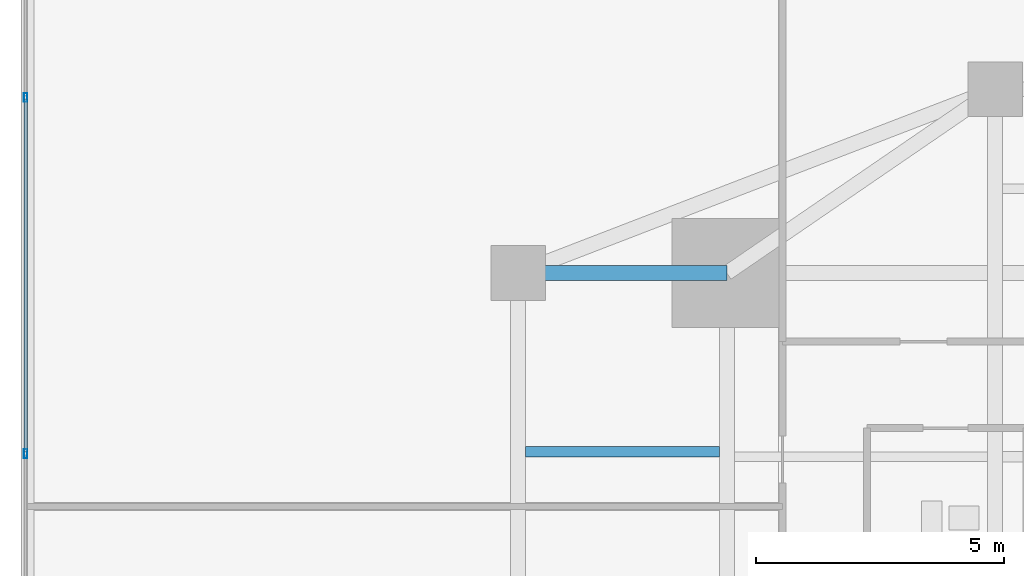
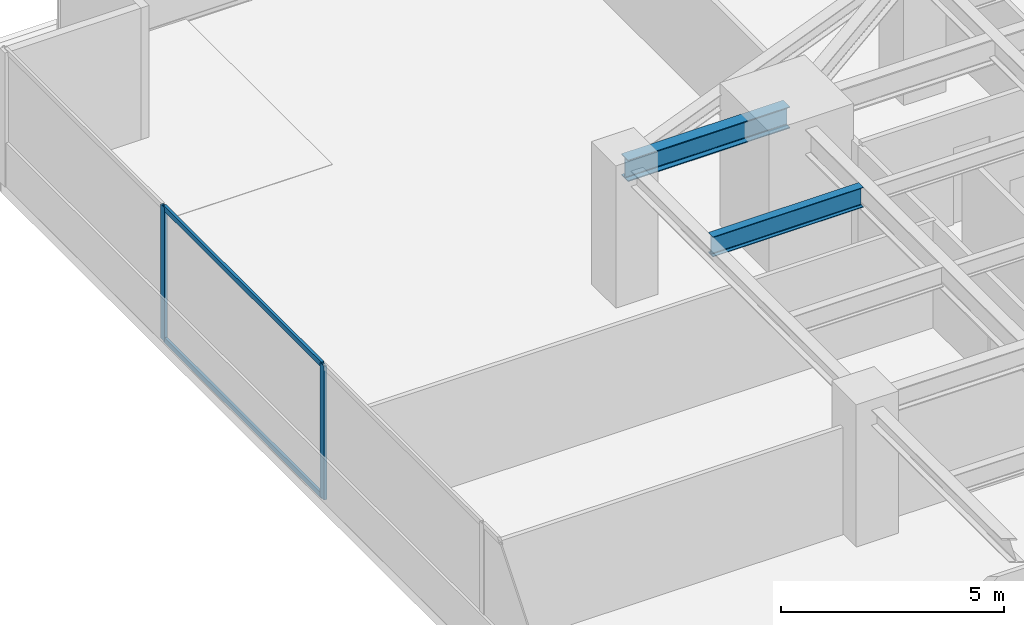
# One storey, part 15 of 30: 4 members, 2 beams, 1 element without a shape of its own.
"""IFC4 building model written with IfcOpenShell, lengths in metres."""

from ifc_helpers import new_model, si_unit, direction, frame, origin, origin_2d, place, context, subcontext, project, spatial, hollow_rectangle, i_section, extrude, source, transform, mapped, material, material_profile, profile_set, type_object, type_shapes, element, aggregate, save


model = new_model("IFC4")

# Units and contexts
model_context = context("Model", 3, precision=1e-05, world=origin(), true_north=direction((0.0, 1.0)))
body_context = subcontext(model_context, "Body", "Model", "MODEL_VIEW")
ifc_project = project(units=[si_unit("LENGTHUNIT", "METRE"), si_unit("AREAUNIT", "SQUARE_METRE"), si_unit("VOLUMEUNIT", "CUBIC_METRE"), si_unit("PLANEANGLEUNIT", "RADIAN"), si_unit("MASSUNIT", "GRAM", prefix="KILO")], contexts=[model_context])

# Site, building, storey
site_placement = place(None, origin())
site = spatial("IfcSite", under=ifc_project, at=site_placement, CompositionType="ELEMENT")
building_placement = place(site_placement, origin())
building = spatial("IfcBuilding", under=site, at=building_placement, Name="Krantzveldt Concourse Tower", CompositionType="ELEMENT")
storey_placement = place(building_placement, frame((0.0, 0.0, 25.0)))
storey = spatial("IfcBuildingStorey", under=building, at=storey_placement, Name="L05", CompositionType="ELEMENT", Elevation=25.0)

# Beams
ifc_material_1 = material(Name="Steel S355JR", Category="steel")
ifc_material_profile_1 = material_profile(ifc_material_1, i_section(OverallWidth=0.300048828125, OverallDepth=0.590087890625, WebThickness=0.012939453125, FlangeThickness=0.02490234375, FilletRadius=0.027099609375, at=origin_2d()), Name="Steel S355JR", Category="steel")
ifc_profile_set_1 = profile_set([ifc_material_profile_1], Name="Steel S355JR - HEA 600")
beam_type_1 = type_object("IfcBeamType", Name="BM-B-HEA600", PredefinedType="BEAM", material=ifc_profile_set_1)
shared_shape_1 = source(origin(), body_context, "Body", "SweptSolid", [
    extrude(i_section(OverallWidth=0.300048828125, OverallDepth=0.590087890625, WebThickness=0.012939453125, FlangeThickness=0.02490234375, FilletRadius=0.027099609375, at=origin_2d()), origin(), (0.0, 0.0, 1.0), 4.199951171875),
])
type_shapes(beam_type_1, [shared_shape_1])
beam_1_placement = place(storey_placement, frame((21.0, 37.5, 3.375), z_axis=(1.0, 0.0, 0.0), x_axis=(0.0, 1.0, 0.0)))
element("IfcBeam", 1, at=beam_1_placement, inside=storey, type_object=beam_type_1, Name="L05 Tower Girder BR-RL3", PredefinedType="BEAM", context=body_context, shape_type="MappedRepresentation", body=[
    mapped(shared_shape_1, transform((0.0, 0.0, 0.0), x_axis=(1.0, 0.0, 0.0), y_axis=(0.0, 1.0, 0.0), z_axis=(0.0, 0.0, 1.0), scale=1.0)),
])
ifc_material_profile_2 = material_profile(ifc_material_1, i_section(OverallWidth=0.2099609375, OverallDepth=0.550048828125, WebThickness=0.010986328125, FlangeThickness=0.01708984375, FilletRadius=0.02392578125, at=origin_2d()), Name="Steel S355JR", Category="steel")
ifc_profile_set_2 = profile_set([ifc_material_profile_2], Name="Steel S355JR - IPE 550")
beam_type_2 = type_object("IfcBeamType", Name="BM-J-IPE550", PredefinedType="JOIST", material=ifc_profile_set_2)
shared_shape_2 = source(origin(), body_context, "Body", "SweptSolid", [
    extrude(i_section(OverallWidth=0.2099609375, OverallDepth=0.550048828125, WebThickness=0.010986328125, FlangeThickness=0.01708984375, FilletRadius=0.02392578125, at=origin_2d()), origin(), (0.0, 0.0, 1.0), 3.900146484375),
])
type_shapes(beam_type_2, [shared_shape_2])
beam_2_placement = place(storey_placement, frame((21.14990234375, 33.89990234375, 3.39501953125), z_axis=(1.0, 0.0, 0.0), x_axis=(0.0, 1.0, 0.0)))
element("IfcBeam", 2, at=beam_2_placement, inside=storey, type_object=beam_type_2, Name="L05 Secondary Floor Joist JW-4", PredefinedType="JOIST", context=body_context, shape_type="MappedRepresentation", body=[
    mapped(shared_shape_2, transform((0.0, 0.0, 0.0), x_axis=(1.0, 0.0, 0.0), y_axis=(0.0, 1.0, 0.0), z_axis=(0.0, 0.0, 1.0), scale=1.0)),
])

# Curtain wall, members
ifc_material_2 = material(Name="Anodised aluminium 6063-T6", Category="aluminium")
curtain_wall_type = type_object("IfcCurtainWallType", Name="CW2", PredefinedType="USERDEFINED", material=ifc_material_2)
curtain_wall_placement = place(storey_placement, origin())
curtain_wall = element("IfcCurtainWall", 3, at=curtain_wall_placement, inside=storey, type_object=curtain_wall_type, Name="CW-L05-F01", ObjectType="UNITISED CURTAIN WALL", PredefinedType="USERDEFINED")
ifc_material_profile_3 = material_profile(ifc_material_2, hollow_rectangle(XDim=0.070068359375, YDim=0.179931640625, WallThickness=0.0048828125, at=origin_2d()), Name="Anodised aluminium 6063-T6", Category="aluminium")
ifc_profile_set_3 = profile_set([ifc_material_profile_3], Name="Anodised aluminium 6063-T6 - ALU-MULL 180x70x5")
member_type_1 = type_object("IfcMemberType", Name="CW-MUL-180", PredefinedType="MULLION", material=ifc_profile_set_3)
shared_shape_3 = source(origin(), body_context, "Body", "SweptSolid", [
    extrude(hollow_rectangle(XDim=0.070068359375, YDim=0.179931640625, WallThickness=0.0048828125, at=origin_2d()), origin(), (0.0, 0.0, 1.0), 3.669921875),
])
type_shapes(member_type_1, [shared_shape_3])
member_1_placement = place(storey_placement, frame((11.090087890625, 41.033447265625, 0.0), z_axis=(0.0, 0.0, 1.0), x_axis=(1.0, 0.0, 0.0)))
member_1 = element("IfcMember", 4, at=member_1_placement, type_object=member_type_1, Name="CW-Z12 mullion 2", PredefinedType="MULLION", context=body_context, shape_type="MappedRepresentation", body=[
    mapped(shared_shape_3, transform((0.0, 0.0, 0.0), x_axis=(1.0, 0.0, 0.0), y_axis=(0.0, 1.0, 0.0), z_axis=(0.0, 0.0, 1.0), scale=1.0)),
])
member_2_placement = place(storey_placement, frame((11.090087890625, 33.86669921875, 0.0), z_axis=(0.0, 0.0, 1.0), x_axis=(1.0, 0.0, 0.0)))
member_2 = element("IfcMember", 5, at=member_2_placement, type_object=member_type_1, Name="CW-Z12 mullion 3", PredefinedType="MULLION", context=body_context, shape_type="MappedRepresentation", body=[
    mapped(shared_shape_3, transform((0.0, 0.0, 0.0), x_axis=(1.0, 0.0, 0.0), y_axis=(0.0, 1.0, 0.0), z_axis=(0.0, 0.0, 1.0), scale=1.0)),
])
ifc_material_profile_4 = material_profile(ifc_material_2, hollow_rectangle(XDim=0.070068359375, YDim=0.139892578125, WallThickness=0.0048828125, at=origin_2d()), Name="Anodised aluminium 6063-T6", Category="aluminium")
ifc_profile_set_4 = profile_set([ifc_material_profile_4], Name="Anodised aluminium 6063-T6 - ALU-TRAN 140x70x5")
member_type_2 = type_object("IfcMemberType", Name="CW-TRN-150", PredefinedType="USERDEFINED", material=ifc_profile_set_4)
shared_shape_4 = source(origin(), body_context, "Body", "SweptSolid", [
    extrude(hollow_rectangle(XDim=0.070068359375, YDim=0.139892578125, WallThickness=0.0048828125, at=origin_2d()), origin(), (0.0, 0.0, 1.0), 7.0966796875),
])
type_shapes(member_type_2, [shared_shape_4])
member_3_placement = place(storey_placement, frame((11.090087890625, 40.998291015625, 0.034912109375), z_axis=(0.0, -1.0, 0.0), x_axis=(1.0, 0.0, 0.0)))
member_3 = element("IfcMember", 6, at=member_3_placement, type_object=member_type_2, Name="CW-Z12 transom 2.1", ObjectType="TRANSOM", PredefinedType="USERDEFINED", context=body_context, shape_type="MappedRepresentation", body=[
    mapped(shared_shape_4, transform((0.0, 0.0, 0.0), x_axis=(1.0, 0.0, 0.0), y_axis=(0.0, 1.0, 0.0), z_axis=(0.0, 0.0, 1.0), scale=1.0)),
])
member_4_placement = place(storey_placement, frame((11.090087890625, 40.998291015625, 3.635009765625), z_axis=(0.0, -1.0, 0.0), x_axis=(1.0, 0.0, 0.0)))
member_4 = element("IfcMember", 7, at=member_4_placement, type_object=member_type_2, Name="CW-Z12 transom 2.2", ObjectType="TRANSOM", PredefinedType="USERDEFINED", context=body_context, shape_type="MappedRepresentation", body=[
    mapped(shared_shape_4, transform((0.0, 0.0, 0.0), x_axis=(1.0, 0.0, 0.0), y_axis=(0.0, 1.0, 0.0), z_axis=(0.0, 0.0, 1.0), scale=1.0)),
])
aggregate(curtain_wall, [member_1, member_2, member_3, member_4])

save(model, "model.ifc")
